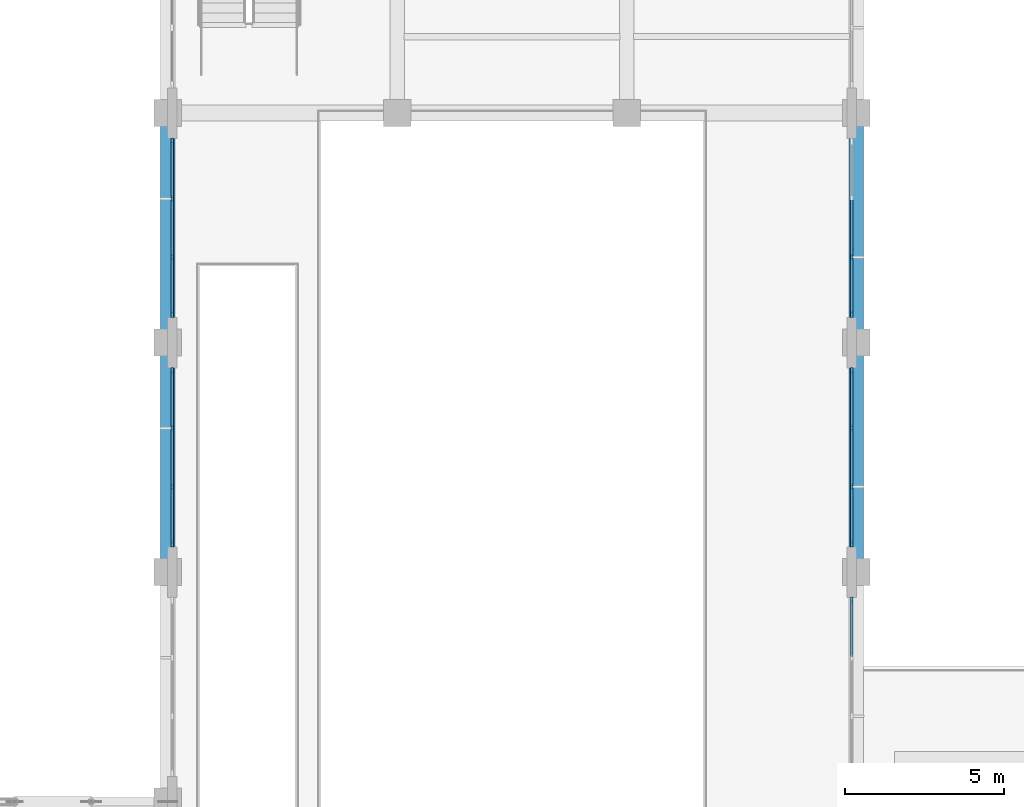
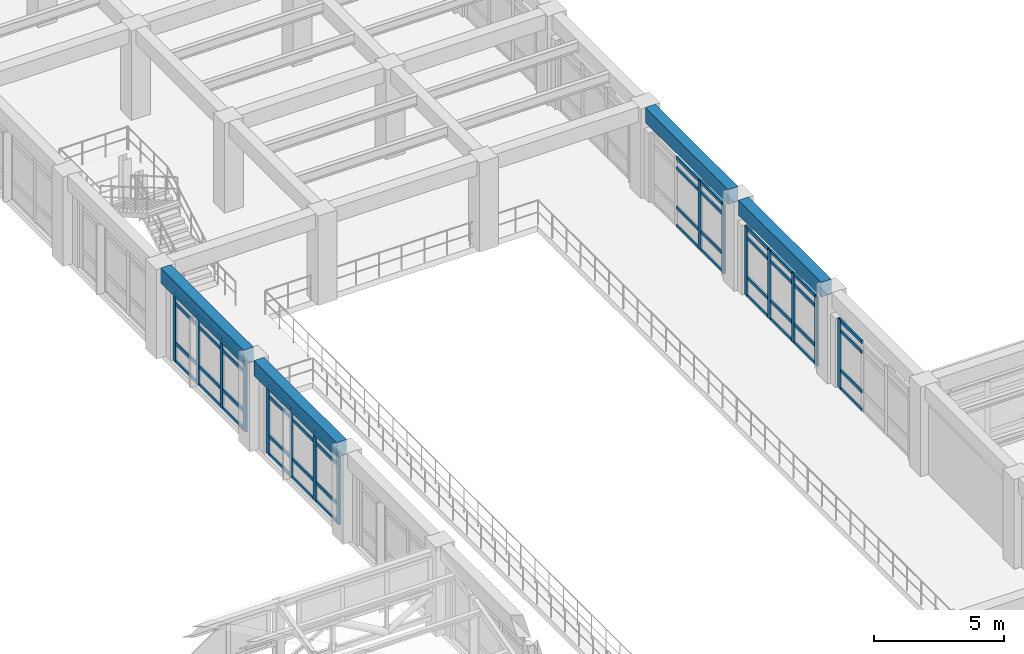
# One storey, part 37 of 98: 63 members, 4 beams, 5 elements without a shape of their own.
"""IFC4 building model written with IfcOpenShell, lengths in metres."""

from ifc_helpers import new_model, si_unit, direction, frame, origin, origin_2d, place, context, subcontext, project, spatial, rectangle, extrude, material, layer, layer_set, material_profile, profile_set, type_object, element, aggregate, save


model = new_model("IFC4")

# Units and contexts
model_context = context("Model", 3, precision=1e-05, world=origin(), true_north=direction((0.0, 1.0)))
body_context = subcontext(model_context, "Body", "Model", "MODEL_VIEW")
ifc_project = project(units=[si_unit("LENGTHUNIT", "METRE"), si_unit("AREAUNIT", "SQUARE_METRE"), si_unit("VOLUMEUNIT", "CUBIC_METRE"), si_unit("PLANEANGLEUNIT", "RADIAN"), si_unit("MASSUNIT", "GRAM", prefix="KILO")], contexts=[model_context])

# Site, building, storey
site_placement = place(None, origin())
site = spatial("IfcSite", under=ifc_project, at=site_placement, CompositionType="ELEMENT")
building_placement = place(site_placement, origin())
building = spatial("IfcBuilding", under=site, at=building_placement, Name="Solenvale Faculty of Natural Sciences", CompositionType="ELEMENT")
storey_placement = place(building_placement, frame((0.0, 0.0, 9.0)))
storey = spatial("IfcBuildingStorey", under=building, at=storey_placement, Name="L02", CompositionType="ELEMENT", Elevation=9.0)

# Beams
ifc_material_1 = material(Name="Concrete 40 MPa", Category="concrete")
ifc_material_profile_1 = material_profile(ifc_material_1, rectangle(XDim=0.449951171875, YDim=0.699951171875, at=origin_2d()), Name="RC-BM-450x700")
ifc_profile_set_1 = profile_set([ifc_material_profile_1], Name="Concrete 40 MPa")
beam_type = type_object("IfcBeamType", Name="BM-RC-450x700", PredefinedType="BEAM", material=ifc_profile_set_1)
for number, where, z_axis, x_axis, name in (
    (1, (36.0, 50.804931640625, 3.8701171875), (0.0, 1.0, 0.0), (-1.0, 0.0, 0.0), "L02 Y-Girder X36.0 (50.4..57.6)"),
    (2, (36.0, 58.0048828125, 3.8701171875), (0.0, 1.0, 0.0), (-1.0, 0.0, 0.0), "L02 Y-Girder X36.0 (57.6..64.8)"),
    (3, (57.60009765625, 50.804931640625, 3.8701171875), (0.0, 1.0, 0.0), (-1.0, 0.0, 0.0), "L02 Y-Girder X57.6 (50.4..57.6)"),
    (4, (57.60009765625, 58.0048828125, 3.8701171875), (0.0, 1.0, 0.0), (-1.0, 0.0, 0.0), "L02 Y-Girder X57.6 (57.6..64.8)"),
):
    element("IfcBeam", number, at=place(storey_placement, frame(where, z_axis=z_axis, x_axis=x_axis)), inside=storey, type_object=beam_type, Name=name, PredefinedType="BEAM", context=body_context, shape_type="SweptSolid", body=[
        extrude(rectangle(XDim=0.449951171875, YDim=0.699951171875, at=origin_2d()), origin(), (0.0, 0.0, 1.0), 6.39013671875),
    ])

# Curtain wall, member
ifc_material_2 = material(Name="Anodised bronze aluminium", Category="aluminium")
ifc_layer = layer(ifc_material_2, 0.215087890625)
ifc_layer_set = layer_set([ifc_layer], Name="Anodised bronze aluminium")
curtain_wall_type = type_object("IfcCurtainWallType", Name="CW-ATR-UNIT", PredefinedType="USERDEFINED", material=ifc_layer_set)
curtain_wall_1_placement = place(storey_placement, origin())
curtain_wall_1 = element("IfcCurtainWall", 5, at=curtain_wall_1_placement, inside=storey, type_object=curtain_wall_type, Name="L02 Curtain Wall CW-L02-P1-E7-B1", ObjectType="UNITISED CURTAIN WALL", PredefinedType="USERDEFINED")
ifc_material_profile_2 = material_profile(ifc_material_2, rectangle(XDim=0.074951171875, YDim=0.2099609375, at=origin_2d()), Name="ALU-MUL-75x210")
ifc_profile_set_2 = profile_set([ifc_material_profile_2], Name="Anodised bronze aluminium")
member_type_1 = type_object("IfcMemberType", Name="CWM-ALU-75x210", PredefinedType="MULLION", material=ifc_profile_set_2)
member_1_placement = place(storey_placement, frame((57.45751953125, 49.512451171875, 0.0), z_axis=(0.0, 0.0, 1.0), x_axis=(-1.0, 0.0, 0.0)))
member_1 = element("IfcMember", 6, at=member_1_placement, type_object=member_type_1, Name="CW-01 mullion 4", PredefinedType="MULLION", context=body_context, shape_type="SweptSolid", body=[
    extrude(rectangle(XDim=0.074951171875, YDim=0.2099609375, at=origin_2d()), origin(), (0.0, 0.0, 1.0), 3.260009765625),
])

# Curtain wall, members
curtain_wall_2_placement = place(storey_placement, origin())
curtain_wall_2 = element("IfcCurtainWall", 7, at=curtain_wall_2_placement, inside=storey, type_object=curtain_wall_type, Name="L02 Curtain Wall CW-L02-P1-E7-B2", ObjectType="UNITISED CURTAIN WALL", PredefinedType="USERDEFINED")
member_2_placement = place(storey_placement, frame((57.45751953125, 51.28759765625, 0.0), z_axis=(0.0, 0.0, 1.0), x_axis=(-1.0, 0.0, 0.0)))
member_2 = element("IfcMember", 8, at=member_2_placement, type_object=member_type_1, Name="CW-01 mullion 1", PredefinedType="MULLION", context=body_context, shape_type="SweptSolid", body=[
    extrude(rectangle(XDim=0.074951171875, YDim=0.2099609375, at=origin_2d()), origin(), (0.0, 0.0, 1.0), 3.260009765625),
])
member_3_placement = place(storey_placement, frame((57.45751953125, 53.083251953125, 0.0), z_axis=(0.0, 0.0, 1.0), x_axis=(-1.0, 0.0, 0.0)))
member_3 = element("IfcMember", 9, at=member_3_placement, type_object=member_type_1, Name="CW-01 mullion 2", PredefinedType="MULLION", context=body_context, shape_type="SweptSolid", body=[
    extrude(rectangle(XDim=0.074951171875, YDim=0.2099609375, at=origin_2d()), origin(), (0.0, 0.0, 1.0), 3.260009765625),
])
member_4_placement = place(storey_placement, frame((57.45751953125, 54.916748046875, 0.0), z_axis=(0.0, 0.0, 1.0), x_axis=(-1.0, 0.0, 0.0)))
member_4 = element("IfcMember", 10, at=member_4_placement, type_object=member_type_1, Name="CW-01 mullion 3", PredefinedType="MULLION", context=body_context, shape_type="SweptSolid", body=[
    extrude(rectangle(XDim=0.074951171875, YDim=0.2099609375, at=origin_2d()), origin(), (0.0, 0.0, 1.0), 3.260009765625),
])
member_5_placement = place(storey_placement, frame((57.45751953125, 56.71240234375, 0.0), z_axis=(0.0, 0.0, 1.0), x_axis=(-1.0, 0.0, 0.0)))
member_5 = element("IfcMember", 11, at=member_5_placement, type_object=member_type_1, Name="CW-01 mullion 4", PredefinedType="MULLION", context=body_context, shape_type="SweptSolid", body=[
    extrude(rectangle(XDim=0.074951171875, YDim=0.2099609375, at=origin_2d()), origin(), (0.0, 0.0, 1.0), 3.260009765625),
])

curtain_wall_3_placement = place(storey_placement, origin())
curtain_wall_3 = element("IfcCurtainWall", 12, at=curtain_wall_3_placement, inside=storey, type_object=curtain_wall_type, Name="L02 Curtain Wall CW-L02-P1-E7-B3", ObjectType="UNITISED CURTAIN WALL", PredefinedType="USERDEFINED")
member_6_placement = place(storey_placement, frame((57.45751953125, 58.487548828125, 0.0), z_axis=(0.0, 0.0, 1.0), x_axis=(-1.0, 0.0, 0.0)))
member_6 = element("IfcMember", 13, at=member_6_placement, type_object=member_type_1, Name="CW-01 mullion 1", PredefinedType="MULLION", context=body_context, shape_type="SweptSolid", body=[
    extrude(rectangle(XDim=0.074951171875, YDim=0.2099609375, at=origin_2d()), origin(), (0.0, 0.0, 1.0), 3.260009765625),
])
member_7_placement = place(storey_placement, frame((57.45751953125, 60.283447265625, 0.0), z_axis=(0.0, 0.0, 1.0), x_axis=(-1.0, 0.0, 0.0)))
member_7 = element("IfcMember", 14, at=member_7_placement, type_object=member_type_1, Name="CW-01 mullion 2", PredefinedType="MULLION", context=body_context, shape_type="SweptSolid", body=[
    extrude(rectangle(XDim=0.074951171875, YDim=0.2099609375, at=origin_2d()), origin(), (0.0, 0.0, 1.0), 3.260009765625),
])

curtain_wall_4_placement = place(storey_placement, origin())
curtain_wall_4 = element("IfcCurtainWall", 15, at=curtain_wall_4_placement, inside=storey, type_object=curtain_wall_type, Name="L02 Curtain Wall CW-L02-P1-E9-B5", ObjectType="UNITISED CURTAIN WALL", PredefinedType="USERDEFINED")
member_8_placement = place(storey_placement, frame((36.142578125, 63.91259765625, 0.0), z_axis=(0.0, 0.0, 1.0), x_axis=(1.0, 0.0, 0.0)))
member_8 = element("IfcMember", 16, at=member_8_placement, type_object=member_type_1, Name="CW-01 mullion 1", PredefinedType="MULLION", context=body_context, shape_type="SweptSolid", body=[
    extrude(rectangle(XDim=0.074951171875, YDim=0.2099609375, at=origin_2d()), origin(), (0.0, 0.0, 1.0), 3.260009765625),
])
member_9_placement = place(storey_placement, frame((36.142578125, 62.11669921875, 0.0), z_axis=(0.0, 0.0, 1.0), x_axis=(1.0, 0.0, 0.0)))
member_9 = element("IfcMember", 17, at=member_9_placement, type_object=member_type_1, Name="CW-01 mullion 2", PredefinedType="MULLION", context=body_context, shape_type="SweptSolid", body=[
    extrude(rectangle(XDim=0.074951171875, YDim=0.2099609375, at=origin_2d()), origin(), (0.0, 0.0, 1.0), 3.260009765625),
])
member_10_placement = place(storey_placement, frame((36.142578125, 60.283447265625, 0.0), z_axis=(0.0, 0.0, 1.0), x_axis=(1.0, 0.0, 0.0)))
member_10 = element("IfcMember", 18, at=member_10_placement, type_object=member_type_1, Name="CW-01 mullion 3", PredefinedType="MULLION", context=body_context, shape_type="SweptSolid", body=[
    extrude(rectangle(XDim=0.074951171875, YDim=0.2099609375, at=origin_2d()), origin(), (0.0, 0.0, 1.0), 3.260009765625),
])
member_11_placement = place(storey_placement, frame((36.142578125, 58.487548828125, 0.0), z_axis=(0.0, 0.0, 1.0), x_axis=(1.0, 0.0, 0.0)))
member_11 = element("IfcMember", 19, at=member_11_placement, type_object=member_type_1, Name="CW-01 mullion 4", PredefinedType="MULLION", context=body_context, shape_type="SweptSolid", body=[
    extrude(rectangle(XDim=0.074951171875, YDim=0.2099609375, at=origin_2d()), origin(), (0.0, 0.0, 1.0), 3.260009765625),
])

curtain_wall_5_placement = place(storey_placement, origin())
curtain_wall_5 = element("IfcCurtainWall", 20, at=curtain_wall_5_placement, inside=storey, type_object=curtain_wall_type, Name="L02 Curtain Wall CW-L02-P1-E9-B6", ObjectType="UNITISED CURTAIN WALL", PredefinedType="USERDEFINED")
member_12_placement = place(storey_placement, frame((36.142578125, 56.71240234375, 0.0), z_axis=(0.0, 0.0, 1.0), x_axis=(1.0, 0.0, 0.0)))
member_12 = element("IfcMember", 21, at=member_12_placement, type_object=member_type_1, Name="CW-01 mullion 1", PredefinedType="MULLION", context=body_context, shape_type="SweptSolid", body=[
    extrude(rectangle(XDim=0.074951171875, YDim=0.2099609375, at=origin_2d()), origin(), (0.0, 0.0, 1.0), 3.260009765625),
])
member_13_placement = place(storey_placement, frame((36.142578125, 54.916748046875, 0.0), z_axis=(0.0, 0.0, 1.0), x_axis=(1.0, 0.0, 0.0)))
member_13 = element("IfcMember", 22, at=member_13_placement, type_object=member_type_1, Name="CW-01 mullion 2", PredefinedType="MULLION", context=body_context, shape_type="SweptSolid", body=[
    extrude(rectangle(XDim=0.074951171875, YDim=0.2099609375, at=origin_2d()), origin(), (0.0, 0.0, 1.0), 3.260009765625),
])
member_14_placement = place(storey_placement, frame((36.142578125, 53.083251953125, 0.0), z_axis=(0.0, 0.0, 1.0), x_axis=(1.0, 0.0, 0.0)))
member_14 = element("IfcMember", 23, at=member_14_placement, type_object=member_type_1, Name="CW-01 mullion 3", PredefinedType="MULLION", context=body_context, shape_type="SweptSolid", body=[
    extrude(rectangle(XDim=0.074951171875, YDim=0.2099609375, at=origin_2d()), origin(), (0.0, 0.0, 1.0), 3.260009765625),
])
member_15_placement = place(storey_placement, frame((36.142578125, 51.28759765625, 0.0), z_axis=(0.0, 0.0, 1.0), x_axis=(1.0, 0.0, 0.0)))
member_15 = element("IfcMember", 24, at=member_15_placement, type_object=member_type_1, Name="CW-01 mullion 4", PredefinedType="MULLION", context=body_context, shape_type="SweptSolid", body=[
    extrude(rectangle(XDim=0.074951171875, YDim=0.2099609375, at=origin_2d()), origin(), (0.0, 0.0, 1.0), 3.260009765625),
])

# Member
ifc_material_profile_3 = material_profile(ifc_material_2, rectangle(XDim=0.074951171875, YDim=0.155029296875, at=origin_2d()), Name="ALU-TRN-75x155")
ifc_profile_set_3 = profile_set([ifc_material_profile_3], Name="Anodised bronze aluminium")
member_type_2 = type_object("IfcMemberType", Name="CWT-ALU-75x155", PredefinedType="USERDEFINED", material=ifc_profile_set_3)
member_16_placement = place(storey_placement, frame((57.45751953125, 47.754150390625, 0.03759765625), z_axis=(0.0, 1.0, 0.0), x_axis=(-1.0, 0.0, 0.0)))
member_16 = element("IfcMember", 25, at=member_16_placement, type_object=member_type_2, Name="CW-01 transom 3.1", ObjectType="TRANSOM", PredefinedType="USERDEFINED", context=body_context, shape_type="SweptSolid", body=[
    extrude(rectangle(XDim=0.074951171875, YDim=0.155029296875, at=origin_2d()), origin(), (0.0, 0.0, 1.0), 1.720947265625),
])

member_17_placement = place(storey_placement, frame((57.45751953125, 47.754150390625, 0.89990234375), z_axis=(0.0, 1.0, 0.0), x_axis=(-1.0, 0.0, 0.0)))
member_17 = element("IfcMember", 26, at=member_17_placement, type_object=member_type_2, Name="CW-01 transom 3.2", ObjectType="TRANSOM", PredefinedType="USERDEFINED", context=body_context, shape_type="SweptSolid", body=[
    extrude(rectangle(XDim=0.074951171875, YDim=0.155029296875, at=origin_2d()), origin(), (0.0, 0.0, 1.0), 1.720947265625),
])

member_18_placement = place(storey_placement, frame((57.45751953125, 47.754150390625, 2.760009765625), z_axis=(0.0, 1.0, 0.0), x_axis=(-1.0, 0.0, 0.0)))
member_18 = element("IfcMember", 27, at=member_18_placement, type_object=member_type_2, Name="CW-01 transom 3.3", ObjectType="TRANSOM", PredefinedType="USERDEFINED", context=body_context, shape_type="SweptSolid", body=[
    extrude(rectangle(XDim=0.074951171875, YDim=0.155029296875, at=origin_2d()), origin(), (0.0, 0.0, 1.0), 1.720947265625),
])

member_19_placement = place(storey_placement, frame((57.45751953125, 47.754150390625, 3.222412109375), z_axis=(0.0, 1.0, 0.0), x_axis=(-1.0, 0.0, 0.0)))
member_19 = element("IfcMember", 28, at=member_19_placement, type_object=member_type_2, Name="CW-01 transom 3.4", ObjectType="TRANSOM", PredefinedType="USERDEFINED", context=body_context, shape_type="SweptSolid", body=[
    extrude(rectangle(XDim=0.074951171875, YDim=0.155029296875, at=origin_2d()), origin(), (0.0, 0.0, 1.0), 1.720947265625),
])

aggregate(curtain_wall_1, [member_1, member_16, member_17, member_18, member_19])

member_20_placement = place(storey_placement, frame((57.45751953125, 51.324951171875, 0.03759765625), z_axis=(0.0, 1.0, 0.0), x_axis=(-1.0, 0.0, 0.0)))
member_20 = element("IfcMember", 29, at=member_20_placement, type_object=member_type_2, Name="CW-01 transom 1.1", ObjectType="TRANSOM", PredefinedType="USERDEFINED", context=body_context, shape_type="SweptSolid", body=[
    extrude(rectangle(XDim=0.074951171875, YDim=0.155029296875, at=origin_2d()), origin(), (0.0, 0.0, 1.0), 1.720947265625),
])

member_21_placement = place(storey_placement, frame((57.45751953125, 51.324951171875, 0.89990234375), z_axis=(0.0, 1.0, 0.0), x_axis=(-1.0, 0.0, 0.0)))
member_21 = element("IfcMember", 30, at=member_21_placement, type_object=member_type_2, Name="CW-01 transom 1.2", ObjectType="TRANSOM", PredefinedType="USERDEFINED", context=body_context, shape_type="SweptSolid", body=[
    extrude(rectangle(XDim=0.074951171875, YDim=0.155029296875, at=origin_2d()), origin(), (0.0, 0.0, 1.0), 1.720947265625),
])

member_22_placement = place(storey_placement, frame((57.45751953125, 51.324951171875, 2.760009765625), z_axis=(0.0, 1.0, 0.0), x_axis=(-1.0, 0.0, 0.0)))
member_22 = element("IfcMember", 31, at=member_22_placement, type_object=member_type_2, Name="CW-01 transom 1.3", ObjectType="TRANSOM", PredefinedType="USERDEFINED", context=body_context, shape_type="SweptSolid", body=[
    extrude(rectangle(XDim=0.074951171875, YDim=0.155029296875, at=origin_2d()), origin(), (0.0, 0.0, 1.0), 1.720947265625),
])

member_23_placement = place(storey_placement, frame((57.45751953125, 51.324951171875, 3.222412109375), z_axis=(0.0, 1.0, 0.0), x_axis=(-1.0, 0.0, 0.0)))
member_23 = element("IfcMember", 32, at=member_23_placement, type_object=member_type_2, Name="CW-01 transom 1.4", ObjectType="TRANSOM", PredefinedType="USERDEFINED", context=body_context, shape_type="SweptSolid", body=[
    extrude(rectangle(XDim=0.074951171875, YDim=0.155029296875, at=origin_2d()), origin(), (0.0, 0.0, 1.0), 1.720947265625),
])

member_24_placement = place(storey_placement, frame((57.45751953125, 53.120849609375, 0.03759765625), z_axis=(0.0, 1.0, 0.0), x_axis=(-1.0, 0.0, 0.0)))
member_24 = element("IfcMember", 33, at=member_24_placement, type_object=member_type_2, Name="CW-01 transom 2.1", ObjectType="TRANSOM", PredefinedType="USERDEFINED", context=body_context, shape_type="SweptSolid", body=[
    extrude(rectangle(XDim=0.074951171875, YDim=0.155029296875, at=origin_2d()), origin(), (0.0, 0.0, 1.0), 1.75830078125),
])

member_25_placement = place(storey_placement, frame((57.45751953125, 53.120849609375, 0.89990234375), z_axis=(0.0, 1.0, 0.0), x_axis=(-1.0, 0.0, 0.0)))
member_25 = element("IfcMember", 34, at=member_25_placement, type_object=member_type_2, Name="CW-01 transom 2.2", ObjectType="TRANSOM", PredefinedType="USERDEFINED", context=body_context, shape_type="SweptSolid", body=[
    extrude(rectangle(XDim=0.074951171875, YDim=0.155029296875, at=origin_2d()), origin(), (0.0, 0.0, 1.0), 1.75830078125),
])

member_26_placement = place(storey_placement, frame((57.45751953125, 53.120849609375, 2.760009765625), z_axis=(0.0, 1.0, 0.0), x_axis=(-1.0, 0.0, 0.0)))
member_26 = element("IfcMember", 35, at=member_26_placement, type_object=member_type_2, Name="CW-01 transom 2.3", ObjectType="TRANSOM", PredefinedType="USERDEFINED", context=body_context, shape_type="SweptSolid", body=[
    extrude(rectangle(XDim=0.074951171875, YDim=0.155029296875, at=origin_2d()), origin(), (0.0, 0.0, 1.0), 1.75830078125),
])

member_27_placement = place(storey_placement, frame((57.45751953125, 53.120849609375, 3.222412109375), z_axis=(0.0, 1.0, 0.0), x_axis=(-1.0, 0.0, 0.0)))
member_27 = element("IfcMember", 36, at=member_27_placement, type_object=member_type_2, Name="CW-01 transom 2.4", ObjectType="TRANSOM", PredefinedType="USERDEFINED", context=body_context, shape_type="SweptSolid", body=[
    extrude(rectangle(XDim=0.074951171875, YDim=0.155029296875, at=origin_2d()), origin(), (0.0, 0.0, 1.0), 1.75830078125),
])

member_28_placement = place(storey_placement, frame((57.45751953125, 54.9541015625, 0.03759765625), z_axis=(0.0, 1.0, 0.0), x_axis=(-1.0, 0.0, 0.0)))
member_28 = element("IfcMember", 37, at=member_28_placement, type_object=member_type_2, Name="CW-01 transom 3.1", ObjectType="TRANSOM", PredefinedType="USERDEFINED", context=body_context, shape_type="SweptSolid", body=[
    extrude(rectangle(XDim=0.074951171875, YDim=0.155029296875, at=origin_2d()), origin(), (0.0, 0.0, 1.0), 1.720947265625),
])

member_29_placement = place(storey_placement, frame((57.45751953125, 54.9541015625, 0.89990234375), z_axis=(0.0, 1.0, 0.0), x_axis=(-1.0, 0.0, 0.0)))
member_29 = element("IfcMember", 38, at=member_29_placement, type_object=member_type_2, Name="CW-01 transom 3.2", ObjectType="TRANSOM", PredefinedType="USERDEFINED", context=body_context, shape_type="SweptSolid", body=[
    extrude(rectangle(XDim=0.074951171875, YDim=0.155029296875, at=origin_2d()), origin(), (0.0, 0.0, 1.0), 1.720947265625),
])

member_30_placement = place(storey_placement, frame((57.45751953125, 54.9541015625, 2.760009765625), z_axis=(0.0, 1.0, 0.0), x_axis=(-1.0, 0.0, 0.0)))
member_30 = element("IfcMember", 39, at=member_30_placement, type_object=member_type_2, Name="CW-01 transom 3.3", ObjectType="TRANSOM", PredefinedType="USERDEFINED", context=body_context, shape_type="SweptSolid", body=[
    extrude(rectangle(XDim=0.074951171875, YDim=0.155029296875, at=origin_2d()), origin(), (0.0, 0.0, 1.0), 1.720947265625),
])

member_31_placement = place(storey_placement, frame((57.45751953125, 54.9541015625, 3.222412109375), z_axis=(0.0, 1.0, 0.0), x_axis=(-1.0, 0.0, 0.0)))
member_31 = element("IfcMember", 40, at=member_31_placement, type_object=member_type_2, Name="CW-01 transom 3.4", ObjectType="TRANSOM", PredefinedType="USERDEFINED", context=body_context, shape_type="SweptSolid", body=[
    extrude(rectangle(XDim=0.074951171875, YDim=0.155029296875, at=origin_2d()), origin(), (0.0, 0.0, 1.0), 1.720947265625),
])

aggregate(curtain_wall_2, [member_2, member_3, member_4, member_5, member_20, member_21, member_22, member_23, member_24, member_25, member_26, member_27, member_28, member_29, member_30, member_31])

member_32_placement = place(storey_placement, frame((57.45751953125, 58.52490234375, 0.03759765625), z_axis=(0.0, 1.0, 0.0), x_axis=(-1.0, 0.0, 0.0)))
member_32 = element("IfcMember", 41, at=member_32_placement, type_object=member_type_2, Name="CW-01 transom 1.1", ObjectType="TRANSOM", PredefinedType="USERDEFINED", context=body_context, shape_type="SweptSolid", body=[
    extrude(rectangle(XDim=0.074951171875, YDim=0.155029296875, at=origin_2d()), origin(), (0.0, 0.0, 1.0), 1.720947265625),
])

member_33_placement = place(storey_placement, frame((57.45751953125, 58.52490234375, 0.89990234375), z_axis=(0.0, 1.0, 0.0), x_axis=(-1.0, 0.0, 0.0)))
member_33 = element("IfcMember", 42, at=member_33_placement, type_object=member_type_2, Name="CW-01 transom 1.2", ObjectType="TRANSOM", PredefinedType="USERDEFINED", context=body_context, shape_type="SweptSolid", body=[
    extrude(rectangle(XDim=0.074951171875, YDim=0.155029296875, at=origin_2d()), origin(), (0.0, 0.0, 1.0), 1.720947265625),
])

member_34_placement = place(storey_placement, frame((57.45751953125, 58.52490234375, 2.760009765625), z_axis=(0.0, 1.0, 0.0), x_axis=(-1.0, 0.0, 0.0)))
member_34 = element("IfcMember", 43, at=member_34_placement, type_object=member_type_2, Name="CW-01 transom 1.3", ObjectType="TRANSOM", PredefinedType="USERDEFINED", context=body_context, shape_type="SweptSolid", body=[
    extrude(rectangle(XDim=0.074951171875, YDim=0.155029296875, at=origin_2d()), origin(), (0.0, 0.0, 1.0), 1.720947265625),
])

member_35_placement = place(storey_placement, frame((57.45751953125, 58.52490234375, 3.222412109375), z_axis=(0.0, 1.0, 0.0), x_axis=(-1.0, 0.0, 0.0)))
member_35 = element("IfcMember", 44, at=member_35_placement, type_object=member_type_2, Name="CW-01 transom 1.4", ObjectType="TRANSOM", PredefinedType="USERDEFINED", context=body_context, shape_type="SweptSolid", body=[
    extrude(rectangle(XDim=0.074951171875, YDim=0.155029296875, at=origin_2d()), origin(), (0.0, 0.0, 1.0), 1.720947265625),
])

member_36_placement = place(storey_placement, frame((57.45751953125, 60.32080078125, 0.03759765625), z_axis=(0.0, 1.0, 0.0), x_axis=(-1.0, 0.0, 0.0)))
member_36 = element("IfcMember", 45, at=member_36_placement, type_object=member_type_2, Name="CW-01 transom 2.1", ObjectType="TRANSOM", PredefinedType="USERDEFINED", context=body_context, shape_type="SweptSolid", body=[
    extrude(rectangle(XDim=0.074951171875, YDim=0.155029296875, at=origin_2d()), origin(), (0.0, 0.0, 1.0), 1.75830078125),
])

member_37_placement = place(storey_placement, frame((57.45751953125, 60.32080078125, 0.89990234375), z_axis=(0.0, 1.0, 0.0), x_axis=(-1.0, 0.0, 0.0)))
member_37 = element("IfcMember", 46, at=member_37_placement, type_object=member_type_2, Name="CW-01 transom 2.2", ObjectType="TRANSOM", PredefinedType="USERDEFINED", context=body_context, shape_type="SweptSolid", body=[
    extrude(rectangle(XDim=0.074951171875, YDim=0.155029296875, at=origin_2d()), origin(), (0.0, 0.0, 1.0), 1.75830078125),
])

member_38_placement = place(storey_placement, frame((57.45751953125, 60.32080078125, 2.760009765625), z_axis=(0.0, 1.0, 0.0), x_axis=(-1.0, 0.0, 0.0)))
member_38 = element("IfcMember", 47, at=member_38_placement, type_object=member_type_2, Name="CW-01 transom 2.3", ObjectType="TRANSOM", PredefinedType="USERDEFINED", context=body_context, shape_type="SweptSolid", body=[
    extrude(rectangle(XDim=0.074951171875, YDim=0.155029296875, at=origin_2d()), origin(), (0.0, 0.0, 1.0), 1.75830078125),
])

member_39_placement = place(storey_placement, frame((57.45751953125, 60.32080078125, 3.222412109375), z_axis=(0.0, 1.0, 0.0), x_axis=(-1.0, 0.0, 0.0)))
member_39 = element("IfcMember", 48, at=member_39_placement, type_object=member_type_2, Name="CW-01 transom 2.4", ObjectType="TRANSOM", PredefinedType="USERDEFINED", context=body_context, shape_type="SweptSolid", body=[
    extrude(rectangle(XDim=0.074951171875, YDim=0.155029296875, at=origin_2d()), origin(), (0.0, 0.0, 1.0), 1.75830078125),
])

aggregate(curtain_wall_3, [member_6, member_7, member_32, member_33, member_34, member_35, member_36, member_37, member_38, member_39])

member_40_placement = place(storey_placement, frame((36.142578125, 63.875, 0.03759765625), z_axis=(0.0, -1.0, 0.0), x_axis=(1.0, 0.0, 0.0)))
member_40 = element("IfcMember", 49, at=member_40_placement, type_object=member_type_2, Name="CW-01 transom 1.1", ObjectType="TRANSOM", PredefinedType="USERDEFINED", context=body_context, shape_type="SweptSolid", body=[
    extrude(rectangle(XDim=0.074951171875, YDim=0.155029296875, at=origin_2d()), origin(), (0.0, 0.0, 1.0), 1.720947265625),
])

member_41_placement = place(storey_placement, frame((36.142578125, 63.875, 0.89990234375), z_axis=(0.0, -1.0, 0.0), x_axis=(1.0, 0.0, 0.0)))
member_41 = element("IfcMember", 50, at=member_41_placement, type_object=member_type_2, Name="CW-01 transom 1.2", ObjectType="TRANSOM", PredefinedType="USERDEFINED", context=body_context, shape_type="SweptSolid", body=[
    extrude(rectangle(XDim=0.074951171875, YDim=0.155029296875, at=origin_2d()), origin(), (0.0, 0.0, 1.0), 1.720947265625),
])

member_42_placement = place(storey_placement, frame((36.142578125, 63.875, 2.760009765625), z_axis=(0.0, -1.0, 0.0), x_axis=(1.0, 0.0, 0.0)))
member_42 = element("IfcMember", 51, at=member_42_placement, type_object=member_type_2, Name="CW-01 transom 1.3", ObjectType="TRANSOM", PredefinedType="USERDEFINED", context=body_context, shape_type="SweptSolid", body=[
    extrude(rectangle(XDim=0.074951171875, YDim=0.155029296875, at=origin_2d()), origin(), (0.0, 0.0, 1.0), 1.720947265625),
])

member_43_placement = place(storey_placement, frame((36.142578125, 63.875, 3.222412109375), z_axis=(0.0, -1.0, 0.0), x_axis=(1.0, 0.0, 0.0)))
member_43 = element("IfcMember", 52, at=member_43_placement, type_object=member_type_2, Name="CW-01 transom 1.4", ObjectType="TRANSOM", PredefinedType="USERDEFINED", context=body_context, shape_type="SweptSolid", body=[
    extrude(rectangle(XDim=0.074951171875, YDim=0.155029296875, at=origin_2d()), origin(), (0.0, 0.0, 1.0), 1.720947265625),
])

member_44_placement = place(storey_placement, frame((36.142578125, 62.0791015625, 0.03759765625), z_axis=(0.0, -1.0, 0.0), x_axis=(1.0, 0.0, 0.0)))
member_44 = element("IfcMember", 53, at=member_44_placement, type_object=member_type_2, Name="CW-01 transom 2.1", ObjectType="TRANSOM", PredefinedType="USERDEFINED", context=body_context, shape_type="SweptSolid", body=[
    extrude(rectangle(XDim=0.074951171875, YDim=0.155029296875, at=origin_2d()), origin(), (0.0, 0.0, 1.0), 1.75830078125),
])

member_45_placement = place(storey_placement, frame((36.142578125, 62.0791015625, 0.89990234375), z_axis=(0.0, -1.0, 0.0), x_axis=(1.0, 0.0, 0.0)))
member_45 = element("IfcMember", 54, at=member_45_placement, type_object=member_type_2, Name="CW-01 transom 2.2", ObjectType="TRANSOM", PredefinedType="USERDEFINED", context=body_context, shape_type="SweptSolid", body=[
    extrude(rectangle(XDim=0.074951171875, YDim=0.155029296875, at=origin_2d()), origin(), (0.0, 0.0, 1.0), 1.75830078125),
])

member_46_placement = place(storey_placement, frame((36.142578125, 62.0791015625, 2.760009765625), z_axis=(0.0, -1.0, 0.0), x_axis=(1.0, 0.0, 0.0)))
member_46 = element("IfcMember", 55, at=member_46_placement, type_object=member_type_2, Name="CW-01 transom 2.3", ObjectType="TRANSOM", PredefinedType="USERDEFINED", context=body_context, shape_type="SweptSolid", body=[
    extrude(rectangle(XDim=0.074951171875, YDim=0.155029296875, at=origin_2d()), origin(), (0.0, 0.0, 1.0), 1.75830078125),
])

member_47_placement = place(storey_placement, frame((36.142578125, 62.0791015625, 3.222412109375), z_axis=(0.0, -1.0, 0.0), x_axis=(1.0, 0.0, 0.0)))
member_47 = element("IfcMember", 56, at=member_47_placement, type_object=member_type_2, Name="CW-01 transom 2.4", ObjectType="TRANSOM", PredefinedType="USERDEFINED", context=body_context, shape_type="SweptSolid", body=[
    extrude(rectangle(XDim=0.074951171875, YDim=0.155029296875, at=origin_2d()), origin(), (0.0, 0.0, 1.0), 1.75830078125),
])

member_48_placement = place(storey_placement, frame((36.142578125, 60.245849609375, 0.03759765625), z_axis=(0.0, -1.0, 0.0), x_axis=(1.0, 0.0, 0.0)))
member_48 = element("IfcMember", 57, at=member_48_placement, type_object=member_type_2, Name="CW-01 transom 3.1", ObjectType="TRANSOM", PredefinedType="USERDEFINED", context=body_context, shape_type="SweptSolid", body=[
    extrude(rectangle(XDim=0.074951171875, YDim=0.155029296875, at=origin_2d()), origin(), (0.0, 0.0, 1.0), 1.720947265625),
])

member_49_placement = place(storey_placement, frame((36.142578125, 60.245849609375, 0.89990234375), z_axis=(0.0, -1.0, 0.0), x_axis=(1.0, 0.0, 0.0)))
member_49 = element("IfcMember", 58, at=member_49_placement, type_object=member_type_2, Name="CW-01 transom 3.2", ObjectType="TRANSOM", PredefinedType="USERDEFINED", context=body_context, shape_type="SweptSolid", body=[
    extrude(rectangle(XDim=0.074951171875, YDim=0.155029296875, at=origin_2d()), origin(), (0.0, 0.0, 1.0), 1.720947265625),
])

member_50_placement = place(storey_placement, frame((36.142578125, 60.245849609375, 2.760009765625), z_axis=(0.0, -1.0, 0.0), x_axis=(1.0, 0.0, 0.0)))
member_50 = element("IfcMember", 59, at=member_50_placement, type_object=member_type_2, Name="CW-01 transom 3.3", ObjectType="TRANSOM", PredefinedType="USERDEFINED", context=body_context, shape_type="SweptSolid", body=[
    extrude(rectangle(XDim=0.074951171875, YDim=0.155029296875, at=origin_2d()), origin(), (0.0, 0.0, 1.0), 1.720947265625),
])

member_51_placement = place(storey_placement, frame((36.142578125, 60.245849609375, 3.222412109375), z_axis=(0.0, -1.0, 0.0), x_axis=(1.0, 0.0, 0.0)))
member_51 = element("IfcMember", 60, at=member_51_placement, type_object=member_type_2, Name="CW-01 transom 3.4", ObjectType="TRANSOM", PredefinedType="USERDEFINED", context=body_context, shape_type="SweptSolid", body=[
    extrude(rectangle(XDim=0.074951171875, YDim=0.155029296875, at=origin_2d()), origin(), (0.0, 0.0, 1.0), 1.720947265625),
])

aggregate(curtain_wall_4, [member_8, member_9, member_10, member_11, member_40, member_41, member_42, member_43, member_44, member_45, member_46, member_47, member_48, member_49, member_50, member_51])

member_52_placement = place(storey_placement, frame((36.142578125, 56.675048828125, 0.03759765625), z_axis=(0.0, -1.0, 0.0), x_axis=(1.0, 0.0, 0.0)))
member_52 = element("IfcMember", 61, at=member_52_placement, type_object=member_type_2, Name="CW-01 transom 1.1", ObjectType="TRANSOM", PredefinedType="USERDEFINED", context=body_context, shape_type="SweptSolid", body=[
    extrude(rectangle(XDim=0.074951171875, YDim=0.155029296875, at=origin_2d()), origin(), (0.0, 0.0, 1.0), 1.720947265625),
])

member_53_placement = place(storey_placement, frame((36.142578125, 56.675048828125, 0.89990234375), z_axis=(0.0, -1.0, 0.0), x_axis=(1.0, 0.0, 0.0)))
member_53 = element("IfcMember", 62, at=member_53_placement, type_object=member_type_2, Name="CW-01 transom 1.2", ObjectType="TRANSOM", PredefinedType="USERDEFINED", context=body_context, shape_type="SweptSolid", body=[
    extrude(rectangle(XDim=0.074951171875, YDim=0.155029296875, at=origin_2d()), origin(), (0.0, 0.0, 1.0), 1.720947265625),
])

member_54_placement = place(storey_placement, frame((36.142578125, 56.675048828125, 2.760009765625), z_axis=(0.0, -1.0, 0.0), x_axis=(1.0, 0.0, 0.0)))
member_54 = element("IfcMember", 63, at=member_54_placement, type_object=member_type_2, Name="CW-01 transom 1.3", ObjectType="TRANSOM", PredefinedType="USERDEFINED", context=body_context, shape_type="SweptSolid", body=[
    extrude(rectangle(XDim=0.074951171875, YDim=0.155029296875, at=origin_2d()), origin(), (0.0, 0.0, 1.0), 1.720947265625),
])

member_55_placement = place(storey_placement, frame((36.142578125, 56.675048828125, 3.222412109375), z_axis=(0.0, -1.0, 0.0), x_axis=(1.0, 0.0, 0.0)))
member_55 = element("IfcMember", 64, at=member_55_placement, type_object=member_type_2, Name="CW-01 transom 1.4", ObjectType="TRANSOM", PredefinedType="USERDEFINED", context=body_context, shape_type="SweptSolid", body=[
    extrude(rectangle(XDim=0.074951171875, YDim=0.155029296875, at=origin_2d()), origin(), (0.0, 0.0, 1.0), 1.720947265625),
])

member_56_placement = place(storey_placement, frame((36.142578125, 54.879150390625, 0.03759765625), z_axis=(0.0, -1.0, 0.0), x_axis=(1.0, 0.0, 0.0)))
member_56 = element("IfcMember", 65, at=member_56_placement, type_object=member_type_2, Name="CW-01 transom 2.1", ObjectType="TRANSOM", PredefinedType="USERDEFINED", context=body_context, shape_type="SweptSolid", body=[
    extrude(rectangle(XDim=0.074951171875, YDim=0.155029296875, at=origin_2d()), origin(), (0.0, 0.0, 1.0), 1.75830078125),
])

member_57_placement = place(storey_placement, frame((36.142578125, 54.879150390625, 0.89990234375), z_axis=(0.0, -1.0, 0.0), x_axis=(1.0, 0.0, 0.0)))
member_57 = element("IfcMember", 66, at=member_57_placement, type_object=member_type_2, Name="CW-01 transom 2.2", ObjectType="TRANSOM", PredefinedType="USERDEFINED", context=body_context, shape_type="SweptSolid", body=[
    extrude(rectangle(XDim=0.074951171875, YDim=0.155029296875, at=origin_2d()), origin(), (0.0, 0.0, 1.0), 1.75830078125),
])

member_58_placement = place(storey_placement, frame((36.142578125, 54.879150390625, 2.760009765625), z_axis=(0.0, -1.0, 0.0), x_axis=(1.0, 0.0, 0.0)))
member_58 = element("IfcMember", 67, at=member_58_placement, type_object=member_type_2, Name="CW-01 transom 2.3", ObjectType="TRANSOM", PredefinedType="USERDEFINED", context=body_context, shape_type="SweptSolid", body=[
    extrude(rectangle(XDim=0.074951171875, YDim=0.155029296875, at=origin_2d()), origin(), (0.0, 0.0, 1.0), 1.75830078125),
])

member_59_placement = place(storey_placement, frame((36.142578125, 54.879150390625, 3.222412109375), z_axis=(0.0, -1.0, 0.0), x_axis=(1.0, 0.0, 0.0)))
member_59 = element("IfcMember", 68, at=member_59_placement, type_object=member_type_2, Name="CW-01 transom 2.4", ObjectType="TRANSOM", PredefinedType="USERDEFINED", context=body_context, shape_type="SweptSolid", body=[
    extrude(rectangle(XDim=0.074951171875, YDim=0.155029296875, at=origin_2d()), origin(), (0.0, 0.0, 1.0), 1.75830078125),
])

member_60_placement = place(storey_placement, frame((36.142578125, 53.0458984375, 0.03759765625), z_axis=(0.0, -1.0, 0.0), x_axis=(1.0, 0.0, 0.0)))
member_60 = element("IfcMember", 69, at=member_60_placement, type_object=member_type_2, Name="CW-01 transom 3.1", ObjectType="TRANSOM", PredefinedType="USERDEFINED", context=body_context, shape_type="SweptSolid", body=[
    extrude(rectangle(XDim=0.074951171875, YDim=0.155029296875, at=origin_2d()), origin(), (0.0, 0.0, 1.0), 1.720947265625),
])

member_61_placement = place(storey_placement, frame((36.142578125, 53.0458984375, 0.89990234375), z_axis=(0.0, -1.0, 0.0), x_axis=(1.0, 0.0, 0.0)))
member_61 = element("IfcMember", 70, at=member_61_placement, type_object=member_type_2, Name="CW-01 transom 3.2", ObjectType="TRANSOM", PredefinedType="USERDEFINED", context=body_context, shape_type="SweptSolid", body=[
    extrude(rectangle(XDim=0.074951171875, YDim=0.155029296875, at=origin_2d()), origin(), (0.0, 0.0, 1.0), 1.720947265625),
])

member_62_placement = place(storey_placement, frame((36.142578125, 53.0458984375, 2.760009765625), z_axis=(0.0, -1.0, 0.0), x_axis=(1.0, 0.0, 0.0)))
member_62 = element("IfcMember", 71, at=member_62_placement, type_object=member_type_2, Name="CW-01 transom 3.3", ObjectType="TRANSOM", PredefinedType="USERDEFINED", context=body_context, shape_type="SweptSolid", body=[
    extrude(rectangle(XDim=0.074951171875, YDim=0.155029296875, at=origin_2d()), origin(), (0.0, 0.0, 1.0), 1.720947265625),
])

member_63_placement = place(storey_placement, frame((36.142578125, 53.0458984375, 3.222412109375), z_axis=(0.0, -1.0, 0.0), x_axis=(1.0, 0.0, 0.0)))
member_63 = element("IfcMember", 72, at=member_63_placement, type_object=member_type_2, Name="CW-01 transom 3.4", ObjectType="TRANSOM", PredefinedType="USERDEFINED", context=body_context, shape_type="SweptSolid", body=[
    extrude(rectangle(XDim=0.074951171875, YDim=0.155029296875, at=origin_2d()), origin(), (0.0, 0.0, 1.0), 1.720947265625),
])

aggregate(curtain_wall_5, [member_12, member_13, member_14, member_15, member_52, member_53, member_54, member_55, member_56, member_57, member_58, member_59, member_60, member_61, member_62, member_63])

save(model, "model.ifc")
